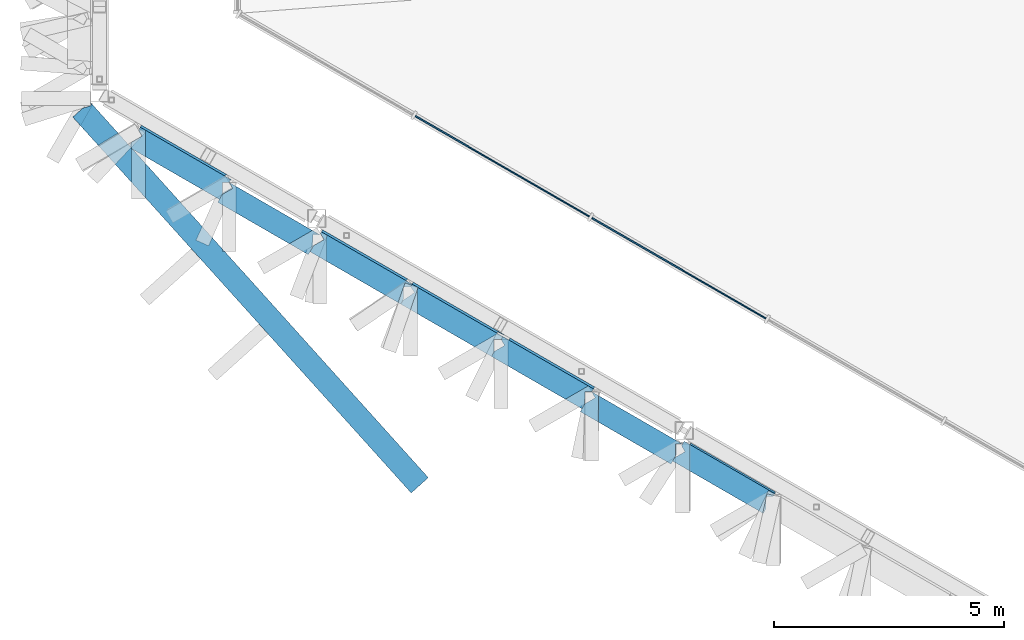
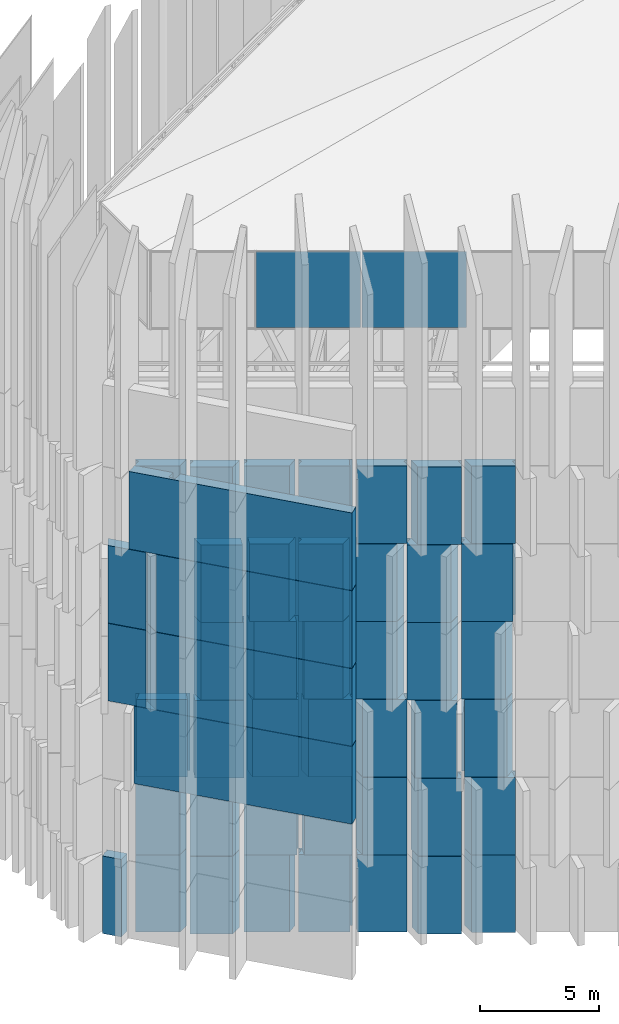
# One storey, part 27 of 45: 51 plates, 1 element without a shape of its own.
"""IFC4 building model written with IfcOpenShell, lengths in metres."""

import ifcopenshell
import ifcopenshell.guid

model = None  # the IFC model being written
_history = None  # IfcOwnerHistory: only IFC2X3 demands one
_inside = {}  # id of a spatial element -> (the spatial element, [elements in it])
_under = {}  # id of a project, library or spatial element -> (it, [spatial elements below it])
_declared = {}  # id of a project -> (the project, [libraries it declares])
_typed = {}  # id of a type object -> (the type object, [elements of that type])
_made_of = {}  # id of a material, layer set ... -> (it, [elements and type objects made of it])


def new_model(schema):
    """Start an empty IFC model of exactly this schema.

    Asked for "IFC4X3", IfcOpenShell would pick the latest addendum, in which some entities
    have other attributes; the version numbers below select the first issue.
    IFC2X3 requires an IfcOwnerHistory on every rooted entity: one is made here for all.
    """
    global model, _history
    if schema == "IFC4X3":
        model = ifcopenshell.file(schema_version=(4, 3, 0, 0))
    else:
        model = ifcopenshell.file(schema=schema)
    _inside.clear()
    _under.clear()
    _declared.clear()
    _typed.clear()
    _made_of.clear()
    _history = None
    if model.schema == "IFC2X3":
        org = make("IfcOrganization", Name="unknown")
        user = make(
            "IfcPersonAndOrganization",
            ThePerson=make("IfcPerson", FamilyName="unknown"),
            TheOrganization=org,
        )
        app = make(
            "IfcApplication",
            ApplicationDeveloper=org,
            Version="unknown",
            ApplicationFullName="unknown",
            ApplicationIdentifier="unknown",
        )
        _history = make(
            "IfcOwnerHistory",
            OwningUser=user,
            OwningApplication=app,
            ChangeAction="ADDED",
            CreationDate=0,
        )
    return model


def make(cls, **values):
    """One entity of the class cls with the attributes given. An attribute that is None is left unset."""
    return model.create_entity(
        cls, **{name: value for name, value in values.items() if value is not None}
    )


def rooted(cls, **values):
    """An entity with a GlobalId (a new one), such as an element, a storey or a relation."""
    return make(cls, GlobalId=ifcopenshell.guid.new(), OwnerHistory=_history, **values)


def si_unit(unit_type, name, prefix=None):
    """IfcSIUnit, for example si_unit("LENGTHUNIT", "METRE", prefix="MILLI")."""
    return make("IfcSIUnit", UnitType=unit_type, Prefix=prefix, Name=name)


def assignment(units):
    """IfcUnitAssignment: the units of a project."""
    return None if units is None else make("IfcUnitAssignment", Units=units)


def point(xyz):
    """IfcCartesianPoint."""
    return None if xyz is None else make("IfcCartesianPoint", Coordinates=xyz)


def direction(xyz):
    """IfcDirection."""
    return None if xyz is None else make("IfcDirection", DirectionRatios=xyz)


def frame(location, z_axis=None, x_axis=None):
    """IfcAxis2Placement3D, a coordinate frame: its origin and axes. An axis left out is left unset."""
    return make(
        "IfcAxis2Placement3D",
        Location=point(location),
        Axis=direction(z_axis),
        RefDirection=direction(x_axis),
    )


def frame_2d(location, x_axis=None):
    """IfcAxis2Placement2D, a coordinate frame in the plane: its origin and x axis."""
    return make(
        "IfcAxis2Placement2D", Location=point(location), RefDirection=direction(x_axis)
    )


def origin():
    """The frame at (0, 0, 0) with its axes left unset."""
    return frame((0.0, 0.0, 0.0))


def origin_2d():
    """The frame at (0, 0) in the plane with its x axis left unset."""
    return frame_2d((0.0, 0.0))


def place(relative_to, where):
    """IfcLocalPlacement: puts the frame where relative to a parent placement (None: the world)."""
    return make(
        "IfcLocalPlacement", PlacementRelTo=relative_to, RelativePlacement=where
    )


def context(
    kind, dimensions, precision=None, world=None, true_north=None, identifier=None
):
    """IfcGeometricRepresentationContext, for example the 3D "Model" context."""
    return make(
        "IfcGeometricRepresentationContext",
        ContextIdentifier=identifier,
        ContextType=kind,
        CoordinateSpaceDimension=dimensions,
        Precision=precision,
        WorldCoordinateSystem=world,
        TrueNorth=true_north,
    )


def subcontext(parent, identifier, kind, view, scale=None):
    """IfcGeometricRepresentationSubContext, for example "Body" below "Model"."""
    return make(
        "IfcGeometricRepresentationSubContext",
        ContextIdentifier=identifier,
        ContextType=kind,
        ParentContext=parent,
        TargetScale=scale,
        TargetView=view,
    )


def project(units=None, contexts=None):
    """IfcProject with its units and contexts."""
    return rooted(
        "IfcProject",
        Name="project",
        RepresentationContexts=contexts,
        UnitsInContext=assignment(units),
    )


def spatial(cls, under=None, at=None, **own):
    """A site, building, storey or space (cls), placed at a placement, below another one or the project."""
    s = rooted(cls, ObjectPlacement=at, **own)
    if under is not None:
        _under.setdefault(under.id(), (under, []))[1].append(s)
    return s


def polyline(points):
    """IfcPolyline through the points."""
    return make("IfcPolyline", Points=[point(p) for p in points])


def profile(cls, at=None, kind="AREA", **sizes):
    """A parametric profile (cls). Its sizes go by their IFC names, for example OverallWidth=200.0."""
    return make(cls, ProfileType=kind, Position=at, **sizes)


def rectangle(**sizes):
    """IfcRectangleProfileDef."""
    return profile("IfcRectangleProfileDef", **sizes)


def outline(outer, holes=None, kind="AREA"):
    """IfcArbitraryClosedProfileDef: a profile drawn as a closed curve; with holes, ...WithVoids."""
    if holes is None:
        return make("IfcArbitraryClosedProfileDef", ProfileType=kind, OuterCurve=outer)
    return make(
        "IfcArbitraryProfileDefWithVoids",
        ProfileType=kind,
        OuterCurve=outer,
        InnerCurves=holes,
    )


def extrude(swept, where, along, depth):
    """IfcExtrudedAreaSolid: the profile swept, set in the frame where, extruded along a direction by depth."""
    return make(
        "IfcExtrudedAreaSolid",
        SweptArea=swept,
        Position=where,
        ExtrudedDirection=direction(along),
        Depth=depth,
    )


def shape(context_of_items, identifier, shape_type, items):
    """IfcShapeRepresentation: the items that make up one representation, for example the "Body"."""
    return make(
        "IfcShapeRepresentation",
        ContextOfItems=context_of_items,
        RepresentationIdentifier=identifier,
        RepresentationType=shape_type,
        Items=items,
    )


def material(Name=None, Category=None):
    """IfcMaterial."""
    return make("IfcMaterial", Name=Name, Category=Category)


def layer(
    of_material, thickness, ventilated=None, Name=None, Category=None, Priority=None
):
    """IfcMaterialLayer: one layer of a wall or slab, of a material (None: an air gap)."""
    return make(
        "IfcMaterialLayer",
        Material=of_material,
        LayerThickness=thickness,
        IsVentilated=ventilated,
        Name=Name,
        Category=Category,
        Priority=Priority,
    )


def layer_set(layers, Name=None):
    """IfcMaterialLayerSet."""
    return make("IfcMaterialLayerSet", MaterialLayers=layers, LayerSetName=Name)


def made_of(thing, what):
    """Note that an element or type object is made of a material, layer set ...; save() writes the relation."""
    if what is not None:
        _made_of.setdefault(what.id(), (what, []))[1].append(thing)
    return thing


def type_object(cls, material=None, **own):
    """A type object (cls), such as IfcWallType, which elements share."""
    return made_of(rooted(cls, **own), material)


def element(
    cls,
    number,
    at=None,
    inside=None,
    cuts=None,
    type_object=None,
    material=None,
    context=None,
    identifier="Body",
    shape_type=None,
    held_by="IfcProductDefinitionShape",
    body=None,
    shapes=None,
    **own,
):
    """One element of the class cls, such as IfcWall. Its Tag is "e" and its number.

    at: its placement. inside: the storey or other place that contains it. cuts: it is an
    opening in that element (IfcRelVoidsElement). A single representation is given by context,
    identifier, shape_type and body (its items); several are given by shapes. held_by: the class
    of the entity that holds the representations. save() writes the other relations.
    """
    e = rooted(cls, Tag="e%d" % number, ObjectPlacement=at, **own)
    if body is not None:
        shapes = [shape(context, identifier, shape_type, body)]
    if shapes is not None:
        e.Representation = make(held_by, Representations=shapes)
    if inside is not None:
        _inside.setdefault(inside.id(), (inside, []))[1].append(e)
    if cuts is not None:
        rooted(
            "IfcRelVoidsElement", RelatingBuildingElement=cuts, RelatedOpeningElement=e
        )
    if type_object is not None:
        _typed.setdefault(type_object.id(), (type_object, []))[1].append(e)
    return made_of(e, material)


def aggregate(whole, parts):
    """IfcRelAggregates: a whole, such as a stair, and the parts it consists of."""
    return rooted("IfcRelAggregates", RelatingObject=whole, RelatedObjects=parts)


def save(model, path):
    """Write the relations noted so far, then the file.

    IfcRelAggregates (storeys below a building ...), IfcRelContainedInSpatialStructure (elements
    in a storey), IfcRelDefinesByType, IfcRelAssociatesMaterial and IfcRelDeclares: one each for
    every whole, place, type object, material and project.
    """
    for whole, parts in _under.values():
        aggregate(whole, parts)
    for where, things in _inside.values():
        rooted(
            "IfcRelContainedInSpatialStructure",
            RelatedElements=things,
            RelatingStructure=where,
        )
    for kind, things in _typed.values():
        rooted("IfcRelDefinesByType", RelatedObjects=things, RelatingType=kind)
    for what, things in _made_of.values():
        rooted("IfcRelAssociatesMaterial", RelatedObjects=things, RelatingMaterial=what)
    for by, libraries in _declared.values():
        rooted("IfcRelDeclares", RelatingContext=by, RelatedDefinitions=libraries)
    model.write(path)


model = new_model("IFC4")

# Units and contexts
model_context = context("Model", 3, precision=1e-05, world=origin(), true_north=direction((0.0, 1.0)))
body_context = subcontext(model_context, "Body", "Model", "MODEL_VIEW")
ifc_project = project(units=[si_unit("LENGTHUNIT", "METRE"), si_unit("AREAUNIT", "SQUARE_METRE"), si_unit("VOLUMEUNIT", "CUBIC_METRE"), si_unit("PLANEANGLEUNIT", "RADIAN"), si_unit("MASSUNIT", "GRAM", prefix="KILO")], contexts=[model_context])

# Site, building, storey
site_placement = place(None, origin())
site = spatial("IfcSite", under=ifc_project, at=site_placement, CompositionType="ELEMENT")
building_placement = place(site_placement, origin())
building = spatial("IfcBuilding", under=site, at=building_placement, Name="Jabali Bay Hotel Tower and Convention Centre", CompositionType="ELEMENT")
storey_placement = place(building_placement, frame((0.0, 0.0, 322.39990234375)))
storey = spatial("IfcBuildingStorey", under=building, at=storey_placement, Name="Crown", CompositionType="ELEMENT", Elevation=322.39990234375)

# Curtain wall, plates
ifc_material_1 = material(Name="Aluminium and glass", Category="aluminium")
ifc_layer_1 = layer(ifc_material_1, 0.199951171875)
ifc_layer_set_1 = layer_set([ifc_layer_1], Name="Aluminium and glass")
curtain_wall_type = type_object("IfcCurtainWallType", Name="CW6 curtain wall", PredefinedType="NOTDEFINED", material=ifc_layer_set_1)
curtain_wall_placement = place(storey_placement, origin())
curtain_wall = element("IfcCurtainWall", 1, at=curtain_wall_placement, inside=storey, type_object=curtain_wall_type, Name="CW6 lantern glazing 5", PredefinedType="NOTDEFINED")
ifc_material_2 = material(Name="Glass", Category="glass")
ifc_layer_2 = layer(ifc_material_2, 0.031982421875)
ifc_layer_set_2 = layer_set([ifc_layer_2], Name="Glass")
plate_type_1 = type_object("IfcPlateType", Name="CW6 glass panel 32", PredefinedType="CURTAIN_PANEL", material=ifc_layer_set_2)
plate_1_placement = place(storey_placement, frame((53.98583984375, 74.64013671875, 28.41015625), z_axis=(0.0, 0.0, 1.0), x_axis=(0.866025400826, -0.500000005124, 0.0)))
plate_1 = element("IfcPlate", 2, at=plate_1_placement, type_object=plate_type_1, Name="CW6 panel 2.1", PredefinedType="CURTAIN_PANEL", context=body_context, shape_type="SweptSolid", body=[
    extrude(rectangle(XDim=4.3740234375, YDim=0.031982421875, at=origin_2d()), origin(), (0.0, 0.0, 1.0), 3.8798828125),
])
plate_2_placement = place(storey_placement, frame((57.82568359375, 72.42333984375, 28.41015625), z_axis=(0.0, 0.0, 1.0), x_axis=(0.866025400826, -0.500000005124, 0.0)))
plate_2 = element("IfcPlate", 3, at=plate_2_placement, type_object=plate_type_1, Name="CW6 panel 3.1", PredefinedType="CURTAIN_PANEL", context=body_context, shape_type="SweptSolid", body=[
    extrude(rectangle(XDim=4.3740234375, YDim=0.031982421875, at=origin_2d()), origin(), (0.0, 0.0, 1.0), 3.8798828125),
])
aggregate(curtain_wall, [plate_1, plate_2])

# Plates
ifc_material_3 = material(Name="Precast concrete C60", Category="concrete")
ifc_layer_3 = layer(ifc_material_3, 0.5)
ifc_layer_set_3 = layer_set([ifc_layer_3], Name="Precast concrete C60")
plate_type_2 = type_object("IfcPlateType", Name="Pierced precast screen", PredefinedType="USERDEFINED", material=ifc_layer_set_3)
plate_3_placement = place(storey_placement, frame((0.0, 0.0, 0.010009765625)))
element("IfcPlate", 4, at=plate_3_placement, inside=storey, type_object=plate_type_2, Name="Screen 1.4.56", ObjectType="SCREEN", PredefinedType="USERDEFINED", context=body_context, shape_type="SweptSolid", body=[
    extrude(outline(polyline([(47.995361328125, 74.46142578125), (46.136474609375, 75.53466796875), (46.1005859375, 75.472412109375), (46.178466796875, 75.34423828125), (45.9443359375, 75.201904296875), (45.886474609375, 75.1015625), (47.495361328125, 74.1728515625), (47.995361328125, 74.46142578125)])), origin(), (0.0, 0.0, 1.0), 3.9658203125),
])
plate_4_placement = place(storey_placement, frame((0.0, 0.0, 0.010009765625)))
element("IfcPlate", 5, at=plate_4_placement, inside=storey, type_object=plate_type_2, Name="Screen 1.4.57", ObjectType="SCREEN", PredefinedType="USERDEFINED", context=body_context, shape_type="SweptSolid", body=[
    extrude(outline(polyline([(49.85400390625, 73.246337890625), (48.11865234375, 74.248046875), (48.1455078125, 74.20166015625), (47.92041015625, 74.07177734375), (47.79638671875, 73.85693359375), (49.35400390625, 72.95751953125), (49.85400390625, 73.246337890625)])), origin(), (0.0, 0.0, 1.0), 3.9658203125),
])
plate_5_placement = place(storey_placement, frame((0.0, 0.0, 0.010009765625)))
element("IfcPlate", 6, at=plate_5_placement, inside=storey, type_object=plate_type_2, Name="Screen 1.4.58", ObjectType="SCREEN", PredefinedType="USERDEFINED", context=body_context, shape_type="SweptSolid", body=[
    extrude(outline(polyline([(51.933837890625, 72.187744140625), (50.079345703125, 73.25830078125), (50.03173828125, 73.175537109375), (50.106689453125, 73.045654296875), (49.881591796875, 72.915771484375), (49.829345703125, 72.8251953125), (51.47509765625, 71.875244140625), (51.933837890625, 72.187744140625)])), origin(), (0.0, 0.0, 1.0), 3.9658203125),
])
plate_6_placement = place(storey_placement, frame((0.0, 0.0, 0.010009765625)))
element("IfcPlate", 7, at=plate_6_placement, inside=storey, type_object=plate_type_2, Name="Screen 1.4.59", ObjectType="SCREEN", PredefinedType="USERDEFINED", context=body_context, shape_type="SweptSolid", body=[
    extrude(outline(polyline([(54.022216796875, 70.98193359375), (52.05078125, 72.1201171875), (52.018310546875, 72.063720703125), (52.102783203125, 71.939697265625), (51.845458984375, 71.764404296875), (51.80078125, 71.68701171875), (53.666748046875, 70.60986328125), (53.8837890625, 71.041748046875), (54.017822265625, 70.974365234375), (54.022216796875, 70.98193359375)])), origin(), (0.0, 0.0, 1.0), 3.9658203125),
])
plate_7_placement = place(storey_placement, frame((0.0, 0.0, 0.010009765625)))
element("IfcPlate", 8, at=plate_7_placement, inside=storey, type_object=plate_type_2, Name="Screen 1.4.60", ObjectType="SCREEN", PredefinedType="USERDEFINED", context=body_context, shape_type="SweptSolid", body=[
    extrude(outline(polyline([(55.99365234375, 69.84375), (54.15185546875, 70.906982421875), (53.927001953125, 70.459716796875), (55.74365234375, 69.41064453125), (55.80029296875, 69.5087890625), (55.80810546875, 69.7861328125), (55.9580078125, 69.781982421875), (55.99365234375, 69.84375)])), origin(), (0.0, 0.0, 1.0), 3.9658203125),
])
plate_8_placement = place(storey_placement, frame((0.0, 0.0, 0.010009765625)))
element("IfcPlate", 9, at=plate_8_placement, inside=storey, type_object=plate_type_2, Name="Screen 1.4.61", ObjectType="SCREEN", PredefinedType="USERDEFINED", context=body_context, shape_type="SweptSolid", body=[
    extrude(outline(polyline([(57.8310546875, 68.640625), (56.10400390625, 69.6376953125), (56.088134765625, 69.069580078125), (57.6533203125, 68.165771484375), (57.777587890625, 68.380859375), (57.777587890625, 68.640625), (57.8310546875, 68.640625)])), origin(), (0.0, 0.0, 1.0), 3.9658203125),
])
plate_9_placement = place(storey_placement, frame((0.0, 0.0, 0.010009765625)))
element("IfcPlate", 10, at=plate_9_placement, inside=storey, type_object=plate_type_2, Name="Screen 1.4.62", ObjectType="SCREEN", PredefinedType="USERDEFINED", context=body_context, shape_type="SweptSolid", body=[
    extrude(outline(polyline([(59.9296875, 67.555908203125), (58.07763671875, 68.625244140625), (58.07763671875, 68.048095703125), (59.6796875, 67.122802734375), (59.7490234375, 67.24267578125), (59.7490234375, 67.50244140625), (59.89892578125, 67.50244140625), (59.9296875, 67.555908203125)])), origin(), (0.0, 0.0, 1.0), 3.9658203125),
])
plate_10_placement = place(storey_placement, frame((0.0, 0.0, 3.995849609375)))
element("IfcPlate", 11, at=plate_10_placement, inside=storey, type_object=plate_type_2, Name="Screen 2.4.56", ObjectType="SCREEN", PredefinedType="USERDEFINED", context=body_context, shape_type="SweptSolid", body=[
    extrude(outline(polyline([(47.970458984375, 74.418212890625), (46.111572265625, 75.491455078125), (46.07421875, 75.426513671875), (46.149169921875, 75.296630859375), (45.924072265625, 75.166748046875), (45.861572265625, 75.058349609375), (47.470458984375, 74.12939453125), (47.970458984375, 74.418212890625)])), origin(), (0.0, 0.0, 1.0), 3.965576171875),
])
plate_11_placement = place(storey_placement, frame((0.0, 0.0, 3.995849609375)))
element("IfcPlate", 12, at=plate_11_placement, inside=storey, type_object=plate_type_2, Name="Screen 2.4.57", ObjectType="SCREEN", PredefinedType="USERDEFINED", context=body_context, shape_type="SweptSolid", body=[
    extrude(outline(polyline([(49.85400390625, 73.246337890625), (48.04638671875, 74.289794921875), (48.04541015625, 74.288330078125), (48.12060546875, 74.158447265625), (47.8955078125, 74.028564453125), (47.79638671875, 73.85693359375), (49.35400390625, 72.95751953125), (49.85400390625, 73.246337890625)])), origin(), (0.0, 0.0, 1.0), 3.965576171875),
])
plate_12_placement = place(storey_placement, frame((0.0, 0.0, 3.995849609375)))
element("IfcPlate", 13, at=plate_12_placement, inside=storey, type_object=plate_type_2, Name="Screen 2.4.58", ObjectType="SCREEN", PredefinedType="USERDEFINED", context=body_context, shape_type="SweptSolid", body=[
    extrude(outline(polyline([(52.02587890625, 72.076904296875), (50.054443359375, 73.215087890625), (50.03173828125, 73.175537109375), (50.106689453125, 73.045654296875), (49.881591796875, 72.915771484375), (49.804443359375, 72.781982421875), (51.72412109375, 71.673583984375), (51.869140625, 72.099853515625), (52.01123046875, 72.051513671875), (52.02587890625, 72.076904296875)])), origin(), (0.0, 0.0, 1.0), 3.965576171875),
])
plate_13_placement = place(storey_placement, frame((0.0, 0.0, 3.995849609375)))
element("IfcPlate", 14, at=plate_13_placement, inside=storey, type_object=plate_type_2, Name="Screen 2.4.59", ObjectType="SCREEN", PredefinedType="USERDEFINED", context=body_context, shape_type="SweptSolid", body=[
    extrude(outline(polyline([(53.997314453125, 70.938720703125), (52.1533203125, 72.003173828125), (51.989013671875, 71.520751953125), (53.747314453125, 70.505615234375), (53.809814453125, 70.614013671875), (53.809814453125, 70.873779296875), (53.959716796875, 70.873779296875), (53.997314453125, 70.938720703125)])), origin(), (0.0, 0.0, 1.0), 3.965576171875),
])
plate_14_placement = place(storey_placement, frame((0.0, 0.0, 3.995849609375)))
element("IfcPlate", 15, at=plate_14_placement, inside=storey, type_object=plate_type_2, Name="Screen 2.4.60", ObjectType="SCREEN", PredefinedType="USERDEFINED", context=body_context, shape_type="SweptSolid", body=[
    extrude(outline(polyline([(55.968505859375, 69.800537109375), (54.109619140625, 70.873779296875), (54.109619140625, 70.29638671875), (55.718505859375, 69.367431640625), (55.781005859375, 69.475830078125), (55.781005859375, 69.735595703125), (55.93115234375, 69.735595703125), (55.968505859375, 69.800537109375)])), origin(), (0.0, 0.0, 1.0), 3.965576171875),
])
plate_15_placement = place(storey_placement, frame((0.0, 0.0, 3.995849609375)))
element("IfcPlate", 16, at=plate_15_placement, inside=storey, type_object=plate_type_2, Name="Screen 2.4.61", ObjectType="SCREEN", PredefinedType="USERDEFINED", context=body_context, shape_type="SweptSolid", body=[
    extrude(outline(polyline([(57.9033203125, 68.598876953125), (56.0810546875, 69.65087890625), (56.0810546875, 69.07373046875), (57.6533203125, 68.165771484375), (57.75244140625, 68.33740234375), (57.75244140625, 68.597412109375), (57.902587890625, 68.597412109375), (57.9033203125, 68.598876953125)])), origin(), (0.0, 0.0, 1.0), 3.965576171875),
])
plate_16_placement = place(storey_placement, frame((0.0, 0.0, 3.995849609375)))
element("IfcPlate", 17, at=plate_16_placement, inside=storey, type_object=plate_type_2, Name="Screen 2.4.62", ObjectType="SCREEN", PredefinedType="USERDEFINED", context=body_context, shape_type="SweptSolid", body=[
    extrude(outline(polyline([(59.911376953125, 67.524169921875), (58.052490234375, 68.597412109375), (58.052490234375, 68.02001953125), (59.649658203125, 67.097900390625), (59.742431640625, 67.517333984375), (59.888916015625, 67.48486328125), (59.911376953125, 67.524169921875)])), origin(), (0.0, 0.0, 1.0), 3.965576171875),
])
plate_17_placement = place(storey_placement, frame((0.0, 0.0, 7.9814453125)))
element("IfcPlate", 18, at=plate_17_placement, inside=storey, type_object=plate_type_2, Name="Screen 3.4.56", ObjectType="SCREEN", PredefinedType="USERDEFINED", context=body_context, shape_type="SweptSolid", body=[
    extrude(outline(polyline([(48.0830078125, 74.353271484375), (46.111572265625, 75.491455078125), (46.094482421875, 75.461669921875), (46.203857421875, 75.359130859375), (45.900390625, 75.035888671875), (47.745361328125, 73.970703125), (47.9384765625, 74.4013671875), (48.075439453125, 74.340087890625), (48.0830078125, 74.353271484375)])), origin(), (0.0, 0.0, 1.0), 3.9658203125),
])
plate_18_placement = place(storey_placement, frame((0.0, 0.0, 7.9814453125)))
element("IfcPlate", 19, at=plate_18_placement, inside=storey, type_object=plate_type_2, Name="Screen 3.4.57", ObjectType="SCREEN", PredefinedType="USERDEFINED", context=body_context, shape_type="SweptSolid", body=[
    extrude(outline(polyline([(49.988037109375, 73.1689453125), (48.18212890625, 74.21142578125), (47.976318359375, 73.7529296875), (49.767822265625, 72.718505859375), (49.833251953125, 72.831787109375), (49.876220703125, 73.1826171875), (49.988037109375, 73.1689453125)])), origin(), (0.0, 0.0, 1.0), 3.9658203125),
])
plate_19_placement = place(storey_placement, frame((0.0, 0.0, 7.9814453125)))
element("IfcPlate", 20, at=plate_19_placement, inside=storey, type_object=plate_type_2, Name="Screen 3.4.58", ObjectType="SCREEN", PredefinedType="USERDEFINED", context=body_context, shape_type="SweptSolid", body=[
    extrude(outline(polyline([(52.02587890625, 72.076904296875), (50.174072265625, 73.14599609375), (50.107666015625, 72.60693359375), (51.77587890625, 71.643798828125), (51.83837890625, 71.752197265625), (51.83837890625, 72.011962890625), (51.98828125, 72.011962890625), (52.02587890625, 72.076904296875)])), origin(), (0.0, 0.0, 1.0), 3.9658203125),
])
plate_20_placement = place(storey_placement, frame((0.0, 0.0, 7.9814453125)))
element("IfcPlate", 21, at=plate_20_placement, inside=storey, type_object=plate_type_2, Name="Screen 3.4.59", ObjectType="SCREEN", PredefinedType="USERDEFINED", context=body_context, shape_type="SweptSolid", body=[
    extrude(outline(polyline([(53.997314453125, 70.938720703125), (52.138427734375, 72.011962890625), (52.138427734375, 71.4345703125), (53.747314453125, 70.505615234375), (53.809814453125, 70.614013671875), (53.809814453125, 70.873779296875), (53.959716796875, 70.873779296875), (53.997314453125, 70.938720703125)])), origin(), (0.0, 0.0, 1.0), 3.9658203125),
])
plate_21_placement = place(storey_placement, frame((0.0, 0.0, 7.9814453125)))
element("IfcPlate", 22, at=plate_21_placement, inside=storey, type_object=plate_type_2, Name="Screen 3.4.60", ObjectType="SCREEN", PredefinedType="USERDEFINED", context=body_context, shape_type="SweptSolid", body=[
    extrude(outline(polyline([(55.968505859375, 69.800537109375), (54.109619140625, 70.873779296875), (54.109619140625, 70.29638671875), (55.7099609375, 69.372314453125), (55.798583984375, 69.791259765625), (55.9453125, 69.76025390625), (55.968505859375, 69.800537109375)])), origin(), (0.0, 0.0, 1.0), 3.9658203125),
])
plate_22_placement = place(storey_placement, frame((0.0, 0.0, 7.9814453125)))
element("IfcPlate", 23, at=plate_22_placement, inside=storey, type_object=plate_type_2, Name="Screen 3.4.61", ObjectType="SCREEN", PredefinedType="USERDEFINED", context=body_context, shape_type="SweptSolid", body=[
    extrude(outline(polyline([(57.772705078125, 68.67431640625), (56.076171875, 69.65380859375), (55.96728515625, 69.139404296875), (57.500244140625, 68.25439453125), (57.772705078125, 68.67431640625)])), origin(), (0.0, 0.0, 1.0), 3.9658203125),
])
plate_23_placement = place(storey_placement, frame((0.0, 0.0, 7.9814453125)))
element("IfcPlate", 24, at=plate_23_placement, inside=storey, type_object=plate_type_2, Name="Screen 3.4.62", ObjectType="SCREEN", PredefinedType="USERDEFINED", context=body_context, shape_type="SweptSolid", body=[
    extrude(outline(polyline([(59.79345703125, 67.59228515625), (57.93994140625, 68.662353515625), (57.911376953125, 68.612548828125), (58.037109375, 68.53076171875), (57.80029296875, 68.16552734375), (59.34375, 67.2744140625), (59.79345703125, 67.59228515625)])), origin(), (0.0, 0.0, 1.0), 3.9658203125),
])
plate_24_placement = place(storey_placement, frame((0.0, 0.0, 11.96728515625)))
element("IfcPlate", 25, at=plate_24_placement, inside=storey, type_object=plate_type_2, Name="Screen 4.4.56", ObjectType="SCREEN", PredefinedType="USERDEFINED", context=body_context, shape_type="SweptSolid", body=[
    extrude(outline(polyline([(48.0830078125, 74.353271484375), (46.22412109375, 75.426513671875), (46.22412109375, 74.84912109375), (47.8330078125, 73.920166015625), (47.8955078125, 74.028564453125), (47.8955078125, 74.288330078125), (48.04541015625, 74.288330078125), (48.0830078125, 74.353271484375)])), origin(), (0.0, 0.0, 1.0), 3.965576171875),
])
plate_25_placement = place(storey_placement, frame((0.0, 0.0, 11.96728515625)))
element("IfcPlate", 26, at=plate_25_placement, inside=storey, type_object=plate_type_2, Name="Screen 4.4.57", ObjectType="SCREEN", PredefinedType="USERDEFINED", context=body_context, shape_type="SweptSolid", body=[
    extrude(outline(polyline([(50.017822265625, 73.151611328125), (48.195556640625, 74.203857421875), (48.195556640625, 73.62646484375), (49.767822265625, 72.718505859375), (49.866943359375, 72.890380859375), (49.866943359375, 73.150146484375), (50.016845703125, 73.150146484375), (50.017822265625, 73.151611328125)])), origin(), (0.0, 0.0, 1.0), 3.965576171875),
])
plate_26_placement = place(storey_placement, frame((0.0, 0.0, 11.96728515625)))
element("IfcPlate", 27, at=plate_26_placement, inside=storey, type_object=plate_type_2, Name="Screen 4.4.58", ObjectType="SCREEN", PredefinedType="USERDEFINED", context=body_context, shape_type="SweptSolid", body=[
    extrude(outline(polyline([(52.02587890625, 72.076904296875), (50.1669921875, 73.150146484375), (50.1669921875, 72.57275390625), (51.70947265625, 71.68212890625), (51.8740234375, 72.1103515625), (52.01416015625, 72.056640625), (52.02587890625, 72.076904296875)])), origin(), (0.0, 0.0, 1.0), 3.965576171875),
])
plate_27_placement = place(storey_placement, frame((0.0, 0.0, 11.96728515625)))
element("IfcPlate", 28, at=plate_27_placement, inside=storey, type_object=plate_type_2, Name="Screen 4.4.59", ObjectType="SCREEN", PredefinedType="USERDEFINED", context=body_context, shape_type="SweptSolid", body=[
    extrude(outline(polyline([(53.884765625, 71.003662109375), (52.154052734375, 72.002685546875), (51.972412109375, 71.5302734375), (53.384765625, 70.71484375), (53.884765625, 71.003662109375)])), origin(), (0.0, 0.0, 1.0), 3.965576171875),
])
plate_28_placement = place(storey_placement, frame((0.0, 0.0, 11.96728515625)))
element("IfcPlate", 29, at=plate_28_placement, inside=storey, type_object=plate_type_2, Name="Screen 4.4.60", ObjectType="SCREEN", PredefinedType="USERDEFINED", context=body_context, shape_type="SweptSolid", body=[
    extrude(outline(polyline([(55.856201171875, 69.865478515625), (53.997314453125, 70.938720703125), (53.959716796875, 70.873779296875), (54.03466796875, 70.743896484375), (53.809814453125, 70.614013671875), (53.747314453125, 70.505615234375), (55.356201171875, 69.57666015625), (55.856201171875, 69.865478515625)])), origin(), (0.0, 0.0, 1.0), 3.965576171875),
])
plate_29_placement = place(storey_placement, frame((0.0, 0.0, 11.96728515625)))
element("IfcPlate", 30, at=plate_29_placement, inside=storey, type_object=plate_type_2, Name="Screen 4.4.61", ObjectType="SCREEN", PredefinedType="USERDEFINED", context=body_context, shape_type="SweptSolid", body=[
    extrude(outline(polyline([(57.7734375, 68.673828125), (55.93212890625, 69.737060546875), (55.93115234375, 69.735595703125), (56.006103515625, 69.605712890625), (55.781005859375, 69.475830078125), (55.68212890625, 69.303955078125), (57.2734375, 68.38525390625), (57.7734375, 68.673828125)])), origin(), (0.0, 0.0, 1.0), 3.965576171875),
])
plate_30_placement = place(storey_placement, frame((0.0, 0.0, 11.96728515625)))
element("IfcPlate", 31, at=plate_30_placement, inside=storey, type_object=plate_type_2, Name="Screen 4.4.62", ObjectType="SCREEN", PredefinedType="USERDEFINED", context=body_context, shape_type="SweptSolid", body=[
    extrude(outline(polyline([(59.798828125, 67.589111328125), (57.93994140625, 68.662353515625), (57.88330078125, 68.564208984375), (57.95849609375, 68.434326171875), (57.7333984375, 68.304443359375), (57.68994140625, 68.229248046875), (59.298828125, 67.30029296875), (59.798828125, 67.589111328125)])), origin(), (0.0, 0.0, 1.0), 3.965576171875),
])
plate_31_placement = place(storey_placement, frame((0.0, 0.0, 15.952880859375)))
element("IfcPlate", 32, at=plate_31_placement, inside=storey, type_object=plate_type_2, Name="Screen 5.4.56", ObjectType="SCREEN", PredefinedType="USERDEFINED", context=body_context, shape_type="SweptSolid", body=[
    extrude(outline(polyline([(48.0830078125, 74.353271484375), (46.22412109375, 75.426513671875), (46.22412109375, 74.84912109375), (47.8330078125, 73.920166015625), (47.8955078125, 74.028564453125), (47.8955078125, 74.288330078125), (48.04541015625, 74.288330078125), (48.0830078125, 74.353271484375)])), origin(), (0.0, 0.0, 1.0), 3.9658203125),
])
plate_32_placement = place(storey_placement, frame((0.0, 0.0, 15.952880859375)))
element("IfcPlate", 33, at=plate_32_placement, inside=storey, type_object=plate_type_2, Name="Screen 5.4.57", ObjectType="SCREEN", PredefinedType="USERDEFINED", context=body_context, shape_type="SweptSolid", body=[
    extrude(outline(polyline([(49.89306640625, 73.2236328125), (48.195556640625, 74.203857421875), (48.195556640625, 73.62646484375), (49.712158203125, 72.750732421875), (49.89306640625, 73.2236328125)])), origin(), (0.0, 0.0, 1.0), 3.9658203125),
])
plate_33_placement = place(storey_placement, frame((0.0, 0.0, 15.952880859375)))
element("IfcPlate", 34, at=plate_33_placement, inside=storey, type_object=plate_type_2, Name="Screen 5.4.58", ObjectType="SCREEN", PredefinedType="USERDEFINED", context=body_context, shape_type="SweptSolid", body=[
    extrude(outline(polyline([(51.91015625, 72.1435546875), (50.1826171875, 73.140869140625), (50.001708984375, 72.66796875), (51.4384765625, 71.838623046875), (51.91015625, 72.1435546875)])), origin(), (0.0, 0.0, 1.0), 3.9658203125),
])
plate_34_placement = place(storey_placement, frame((0.0, 0.0, 15.952880859375)))
element("IfcPlate", 35, at=plate_34_placement, inside=storey, type_object=plate_type_2, Name="Screen 5.4.59", ObjectType="SCREEN", PredefinedType="USERDEFINED", context=body_context, shape_type="SweptSolid", body=[
    extrude(outline(polyline([(53.884765625, 71.003662109375), (52.02587890625, 72.076904296875), (51.99169921875, 72.017578125), (52.072998046875, 71.8916015625), (51.8271484375, 71.732666015625), (51.77587890625, 71.643798828125), (53.384765625, 70.71484375), (53.884765625, 71.003662109375)])), origin(), (0.0, 0.0, 1.0), 3.9658203125),
])
plate_35_placement = place(storey_placement, frame((0.0, 0.0, 15.952880859375)))
element("IfcPlate", 36, at=plate_35_placement, inside=storey, type_object=plate_type_2, Name="Screen 5.4.60", ObjectType="SCREEN", PredefinedType="USERDEFINED", context=body_context, shape_type="SweptSolid", body=[
    extrude(outline(polyline([(55.856201171875, 69.865478515625), (53.997314453125, 70.938720703125), (53.959716796875, 70.873779296875), (54.03466796875, 70.743896484375), (53.809814453125, 70.614013671875), (53.747314453125, 70.505615234375), (55.356201171875, 69.57666015625), (55.856201171875, 69.865478515625)])), origin(), (0.0, 0.0, 1.0), 3.9658203125),
])
plate_36_placement = place(storey_placement, frame((0.0, 0.0, 15.952880859375)))
element("IfcPlate", 37, at=plate_36_placement, inside=storey, type_object=plate_type_2, Name="Screen 5.4.61", ObjectType="SCREEN", PredefinedType="USERDEFINED", context=body_context, shape_type="SweptSolid", body=[
    extrude(outline(polyline([(57.7734375, 68.673828125), (55.93212890625, 69.737060546875), (55.93115234375, 69.735595703125), (56.006103515625, 69.605712890625), (55.781005859375, 69.475830078125), (55.68212890625, 69.303955078125), (57.2734375, 68.38525390625), (57.7734375, 68.673828125)])), origin(), (0.0, 0.0, 1.0), 3.9658203125),
])
plate_37_placement = place(storey_placement, frame((0.0, 0.0, 15.952880859375)))
element("IfcPlate", 38, at=plate_37_placement, inside=storey, type_object=plate_type_2, Name="Screen 5.4.62", ObjectType="SCREEN", PredefinedType="USERDEFINED", context=body_context, shape_type="SweptSolid", body=[
    extrude(outline(polyline([(59.911376953125, 67.524169921875), (57.93994140625, 68.662353515625), (57.88330078125, 68.564208984375), (57.95849609375, 68.434326171875), (57.7333984375, 68.304443359375), (57.68994140625, 68.229248046875), (59.564208984375, 67.147216796875), (59.770263671875, 67.57861328125), (59.905517578125, 67.513916015625), (59.911376953125, 67.524169921875)])), origin(), (0.0, 0.0, 1.0), 3.9658203125),
])
plate_38_placement = place(storey_placement, frame((0.0, 0.0, 19.938720703125)))
element("IfcPlate", 39, at=plate_38_placement, inside=storey, type_object=plate_type_2, Name="Screen 6.4.56", ObjectType="SCREEN", PredefinedType="USERDEFINED", context=body_context, shape_type="SweptSolid", body=[
    extrude(outline(polyline([(47.970458984375, 74.418212890625), (46.111572265625, 75.491455078125), (46.07568359375, 75.428955078125), (46.153564453125, 75.30078125), (45.91943359375, 75.158447265625), (45.861572265625, 75.058349609375), (47.470458984375, 74.12939453125), (47.970458984375, 74.418212890625)])), origin(), (0.0, 0.0, 1.0), 3.965576171875),
])
plate_39_placement = place(storey_placement, frame((0.0, 0.0, 19.938720703125)))
element("IfcPlate", 40, at=plate_39_placement, inside=storey, type_object=plate_type_2, Name="Screen 6.4.57", ObjectType="SCREEN", PredefinedType="USERDEFINED", context=body_context, shape_type="SweptSolid", body=[
    extrude(outline(polyline([(49.85400390625, 73.246337890625), (48.04638671875, 74.289794921875), (48.04541015625, 74.288330078125), (48.12060546875, 74.158447265625), (47.8955078125, 74.028564453125), (47.79638671875, 73.85693359375), (49.35400390625, 72.95751953125), (49.85400390625, 73.246337890625)])), origin(), (0.0, 0.0, 1.0), 3.965576171875),
])
plate_40_placement = place(storey_placement, frame((0.0, 0.0, 19.938720703125)))
element("IfcPlate", 41, at=plate_40_placement, inside=storey, type_object=plate_type_2, Name="Screen 6.4.58", ObjectType="SCREEN", PredefinedType="USERDEFINED", context=body_context, shape_type="SweptSolid", body=[
    extrude(outline(polyline([(51.90869140625, 72.144287109375), (50.054443359375, 73.215087890625), (50.03173828125, 73.175537109375), (50.106689453125, 73.045654296875), (49.881591796875, 72.915771484375), (49.804443359375, 72.781982421875), (51.4501953125, 71.831787109375), (51.90869140625, 72.144287109375)])), origin(), (0.0, 0.0, 1.0), 3.965576171875),
])
plate_41_placement = place(storey_placement, frame((0.0, 0.0, 19.938720703125)))
element("IfcPlate", 42, at=plate_41_placement, inside=storey, type_object=plate_type_2, Name="Screen 6.4.59", ObjectType="SCREEN", PredefinedType="USERDEFINED", context=body_context, shape_type="SweptSolid", body=[
    extrude(outline(polyline([(53.997314453125, 70.938720703125), (52.02587890625, 72.076904296875), (51.9931640625, 72.0205078125), (52.07763671875, 71.896484375), (51.820556640625, 71.72119140625), (51.77587890625, 71.643798828125), (53.6416015625, 70.566650390625), (53.85888671875, 70.99853515625), (53.992919921875, 70.93115234375), (53.997314453125, 70.938720703125)])), origin(), (0.0, 0.0, 1.0), 3.965576171875),
])
plate_42_placement = place(storey_placement, frame((0.0, 0.0, 19.938720703125)))
element("IfcPlate", 43, at=plate_42_placement, inside=storey, type_object=plate_type_2, Name="Screen 6.4.60", ObjectType="SCREEN", PredefinedType="USERDEFINED", context=body_context, shape_type="SweptSolid", body=[
    extrude(outline(polyline([(55.968505859375, 69.800537109375), (54.126953125, 70.86376953125), (53.90185546875, 70.416259765625), (55.718505859375, 69.367431640625), (55.775146484375, 69.465576171875), (55.782958984375, 69.742919921875), (55.932861328125, 69.73876953125), (55.968505859375, 69.800537109375)])), origin(), (0.0, 0.0, 1.0), 3.965576171875),
])
plate_43_placement = place(storey_placement, frame((0.0, 0.0, 19.938720703125)))
element("IfcPlate", 44, at=plate_43_placement, inside=storey, type_object=plate_type_2, Name="Screen 6.4.61", ObjectType="SCREEN", PredefinedType="USERDEFINED", context=body_context, shape_type="SweptSolid", body=[
    extrude(outline(polyline([(57.9033203125, 68.598876953125), (56.08056640625, 69.6513671875), (56.064697265625, 69.0830078125), (57.6533203125, 68.165771484375), (57.75244140625, 68.33740234375), (57.75244140625, 68.597412109375), (57.902587890625, 68.597412109375), (57.9033203125, 68.598876953125)])), origin(), (0.0, 0.0, 1.0), 3.965576171875),
])
plate_44_placement = place(storey_placement, frame((0.0, 0.0, 19.938720703125)))
element("IfcPlate", 45, at=plate_44_placement, inside=storey, type_object=plate_type_2, Name="Screen 6.4.62", ObjectType="SCREEN", PredefinedType="USERDEFINED", context=body_context, shape_type="SweptSolid", body=[
    extrude(outline(polyline([(59.911376953125, 67.524169921875), (58.052490234375, 68.597412109375), (58.052490234375, 68.02001953125), (59.661376953125, 67.091064453125), (59.723876953125, 67.19921875), (59.723876953125, 67.459228515625), (59.8740234375, 67.459228515625), (59.911376953125, 67.524169921875)])), origin(), (0.0, 0.0, 1.0), 3.965576171875),
])
plate_45_placement = place(storey_placement, frame((0.0, 0.0, 0.010009765625)))
element("IfcPlate", 46, at=plate_45_placement, inside=storey, type_object=plate_type_2, Name="Screen 1.W10", ObjectType="SCREEN", PredefinedType="USERDEFINED", context=body_context, shape_type="SweptSolid", body=[
    extrude(outline(polyline([(45.630615234375, 75.362060546875), (45.02587890625, 76.03369140625), (45.048095703125, 75.962158203125), (44.85888671875, 75.9033203125), (44.64453125, 75.710205078125), (45.19580078125, 75.097900390625), (45.630615234375, 75.362060546875)])), origin(), (0.0, 0.0, 1.0), 3.9658203125),
])
plate_46_placement = place(storey_placement, frame((0.0, 0.0, 7.9814453125)))
element("IfcPlate", 47, at=plate_46_placement, inside=storey, type_object=plate_type_2, Name="Screen 3.W11", ObjectType="SCREEN", PredefinedType="USERDEFINED", context=body_context, shape_type="SweptSolid", body=[
    extrude(outline(polyline([(47.458740234375, 73.331787109375), (45.91259765625, 75.048828125), (45.5693359375, 74.68310546875), (52.0048828125, 67.53564453125), (52.37646484375, 67.8701171875), (47.67822265625, 73.088134765625), (47.59814453125, 72.91015625), (47.324462890625, 73.032958984375), (47.458740234375, 73.331787109375)])), origin(), (0.0, 0.0, 1.0), 3.9658203125),
])
plate_47_placement = place(storey_placement, frame((0.0, 0.0, 11.96728515625)))
element("IfcPlate", 48, at=plate_47_placement, inside=storey, type_object=plate_type_2, Name="Screen 4.W11", ObjectType="SCREEN", PredefinedType="USERDEFINED", context=body_context, shape_type="SweptSolid", body=[
    extrude(outline(polyline([(45.924072265625, 75.0361328125), (45.072021484375, 75.982666015625), (44.80908203125, 75.52734375), (45.924072265625, 74.288818359375), (45.924072265625, 75.0361328125)])), origin(), (0.0, 0.0, 1.0), 3.965576171875),
])
plate_48_placement = place(storey_placement, frame((0.0, 0.0, 11.96728515625)))
element("IfcPlate", 49, at=plate_48_placement, inside=storey, type_object=plate_type_2, Name="Screen 4.W12", ObjectType="SCREEN", PredefinedType="USERDEFINED", context=body_context, shape_type="SweptSolid", body=[
    extrude(outline(polyline([(47.8955078125, 72.8466796875), (46.22412109375, 74.702880859375), (46.22412109375, 73.955810546875), (52.0048828125, 67.53564453125), (52.37646484375, 67.8701171875), (47.9482421875, 72.788330078125), (47.8955078125, 72.788330078125), (47.8955078125, 72.8466796875)])), origin(), (0.0, 0.0, 1.0), 3.965576171875),
])
plate_49_placement = place(storey_placement, frame((0.0, 0.0, 15.952880859375)))
element("IfcPlate", 50, at=plate_49_placement, inside=storey, type_object=plate_type_2, Name="Screen 5.W11", ObjectType="SCREEN", PredefinedType="USERDEFINED", context=body_context, shape_type="SweptSolid", body=[
    extrude(outline(polyline([(45.924072265625, 75.0361328125), (45.072021484375, 75.982666015625), (44.80908203125, 75.52734375), (45.924072265625, 74.288818359375), (45.924072265625, 75.0361328125)])), origin(), (0.0, 0.0, 1.0), 3.9658203125),
])
plate_50_placement = place(storey_placement, frame((0.0, 0.0, 15.952880859375)))
element("IfcPlate", 51, at=plate_50_placement, inside=storey, type_object=plate_type_2, Name="Screen 5.W12", ObjectType="SCREEN", PredefinedType="USERDEFINED", context=body_context, shape_type="SweptSolid", body=[
    extrude(outline(polyline([(47.8955078125, 72.8466796875), (46.22412109375, 74.702880859375), (46.22412109375, 73.955810546875), (52.0048828125, 67.53564453125), (52.37646484375, 67.8701171875), (47.9482421875, 72.788330078125), (47.8955078125, 72.788330078125), (47.8955078125, 72.8466796875)])), origin(), (0.0, 0.0, 1.0), 3.9658203125),
])
plate_51_placement = place(storey_placement, frame((0.0, 0.0, 19.938720703125)))
element("IfcPlate", 52, at=plate_51_placement, inside=storey, type_object=plate_type_2, Name="Screen 6.W11", ObjectType="SCREEN", PredefinedType="USERDEFINED", context=body_context, shape_type="SweptSolid", body=[
    extrude(outline(polyline([(46.990234375, 73.852294921875), (45.851318359375, 75.1171875), (45.41650390625, 74.852783203125), (52.0048828125, 67.53564453125), (52.37646484375, 67.8701171875), (47.1953125, 73.624267578125), (46.821533203125, 73.408447265625), (46.67138671875, 73.668212890625), (46.990234375, 73.852294921875)])), origin(), (0.0, 0.0, 1.0), 3.965576171875),
])

save(model, "model.ifc")
